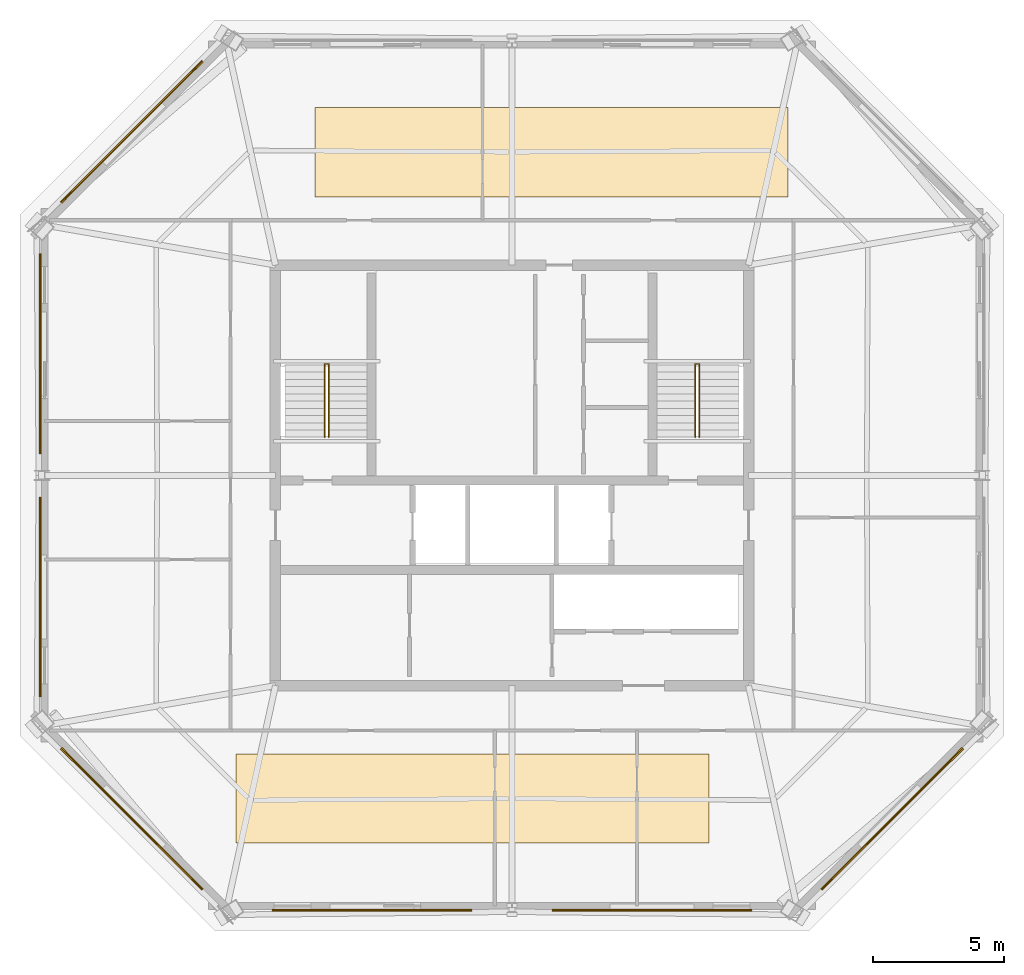
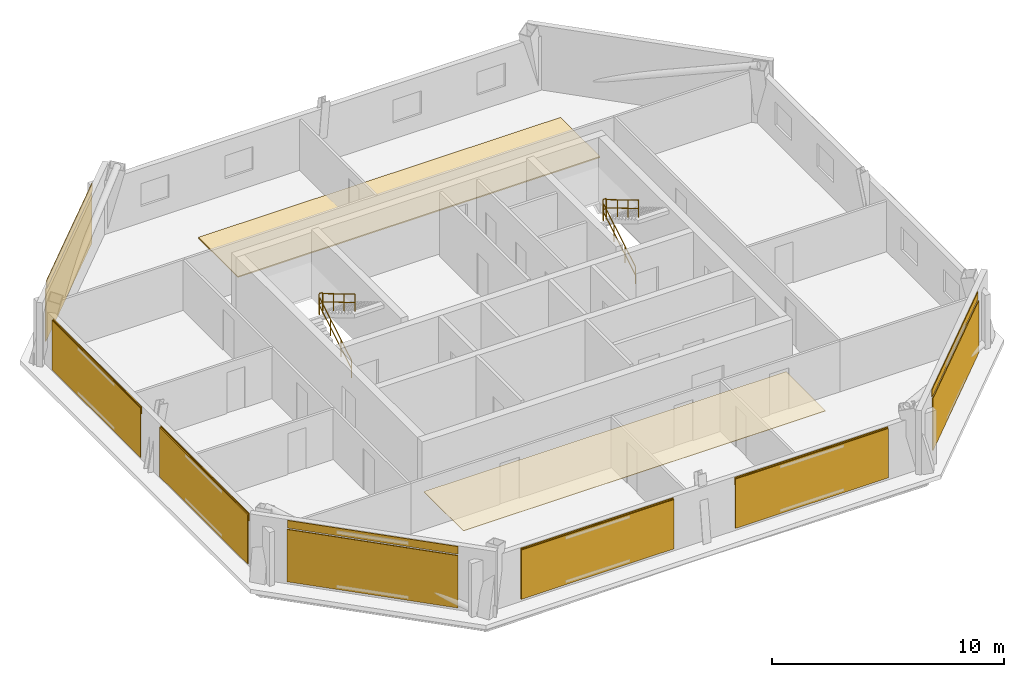
# One storey, part 5 of 6: 9 coverings, 7 shading devices, 6 railings.
"""IFC4 building model written with IfcOpenShell, lengths in metres."""

from ifc_helpers import new_model, si_unit, direction, frame, origin, origin_2d, place, context, subcontext, project, spatial, polyline, rectangle, circle, outline, extrude, material, layer, layer_set, type_object, element, save


model = new_model("IFC4")

# Units and contexts
model_context = context("Model", 3, precision=1e-05, world=origin(), true_north=direction((0.0, 1.0)))
body_context = subcontext(model_context, "Body", "Model", "MODEL_VIEW")
ifc_project = project(units=[si_unit("LENGTHUNIT", "METRE"), si_unit("AREAUNIT", "SQUARE_METRE"), si_unit("VOLUMEUNIT", "CUBIC_METRE"), si_unit("PLANEANGLEUNIT", "RADIAN"), si_unit("MASSUNIT", "GRAM", prefix="KILO")], contexts=[model_context])

# Site, building, storey
site_placement = place(None, origin())
site = spatial("IfcSite", under=ifc_project, at=site_placement, CompositionType="ELEMENT")
building_placement = place(site_placement, origin())
building = spatial("IfcBuilding", under=site, at=building_placement, Name="Caelvoria Tower", CompositionType="ELEMENT")
storey_placement = place(building_placement, frame((0.0, 0.0, 268.199951171875)))
storey = spatial("IfcBuildingStorey", under=building, at=storey_placement, Name="L71", CompositionType="ELEMENT", Elevation=268.199951171875)

# Coverings
ifc_material_1 = material(Name="Acoustic Mineral Fibre Tile", Category="gypsum")
ifc_layer_1 = layer(ifc_material_1, 0.02490234375, Name="Acoustic Mineral Fibre Tile")
ifc_layer_set_1 = layer_set([ifc_layer_1], Name="Mineral-Fibre Acoustic Suspended Ceiling 25 - Acoustic Mineral Fibre Tile")
covering_type_1 = type_object("IfcCoveringType", Name="Mineral-Fibre Acoustic Suspended Ceiling 25", PredefinedType="CEILING", material=ifc_layer_set_1)
covering_1_placement = place(storey_placement, frame((0.0, 0.0, 2.650146484375)))
element("IfcCovering", 1, at=covering_1_placement, inside=storey, type_object=covering_type_1, Name="Suspended Acoustic Ceiling L71", PredefinedType="CEILING", context=body_context, shape_type="SweptSolid", body=[
    extrude(outline(polyline([(35.5, 18.0), (53.5, 18.0), (53.5, 21.39990234375), (35.5, 21.39990234375), (35.5, 18.0)])), origin(), (0.0, 0.0, 1.0), 0.02490234375),
])
ifc_material_2 = material(Name="Perforated Architectural Bronze Cladding Screen", Category="bronze")
ifc_layer_2 = layer(ifc_material_2, 0.0400390625, Name="Perforated Architectural Bronze Cladding Screen")
ifc_layer_set_2 = layer_set([ifc_layer_2], Name="Perforated Bronze Louvre Cladding Band 40 - Perforated Architectural Bronze Cladding Screen")
covering_type_2 = type_object("IfcCoveringType", Name="Perforated Bronze Louvre Cladding Band 40", PredefinedType="CLADDING", material=ifc_layer_set_2)
for number, where, z_axis, x_axis, name in (
    (2, (40.677734375, 15.46826171875, 2.412109375), (0.0, 0.0, 1.0), (1.0, 0.0, 0.0), "Perforated Bronze Screen Band L71-E0-00"),
    (3, (51.322265625, 15.46826171875, 2.412109375), (0.0, 0.0, 1.0), (1.0, 0.0, 0.0), "Perforated Bronze Screen Band L71-E0-01"),
    (4, (60.451171875, 18.9443359375, 2.955078125), (0.0, 0.0, 1.0), (0.707106781187, 0.707106781187, 0.0), "Perforated Bronze Screen Band L71-E1-00"),
    (5, (31.548828125, 45.0556640625, 2.955078125), (0.0, 0.0, 1.0), (-0.707106781187, -0.707106781187, 0.0), "Perforated Bronze Screen Band L71-E5-00"),
    (6, (28.07275390625, 36.62451171875, 2.412109375), (0.0, 0.0, 1.0), (0.0, -1.0, 0.0), "Perforated Bronze Screen Band L71-E6-00"),
    (7, (28.07275390625, 27.37548828125, 2.412109375), (0.0, 0.0, 1.0), (0.0, -1.0, 0.0), "Perforated Bronze Screen Band L71-E6-01"),
    (8, (31.548828125, 18.9443359375, 2.955078125), (0.0, 0.0, 1.0), (0.707106781187, -0.707106781187, 0.0), "Perforated Bronze Screen Band L71-E7-00"),
):
    element("IfcCovering", number, at=place(storey_placement, frame(where, z_axis=z_axis, x_axis=x_axis)), inside=storey, type_object=covering_type_2, Name=name, PredefinedType="CLADDING", context=body_context, shape_type="SweptSolid", body=[
        extrude(rectangle(XDim=7.60009765625, YDim=0.0400390625, at=origin_2d()), origin(), (0.0, 0.0, 1.0), 0.39990234375),
    ])

# Shading devices
ifc_material_3 = material(Name="Perforated Architectural Bronze Alloy Panel", Category="bronze")
ifc_layer_3 = layer(ifc_material_3, 0.044921875, Name="Perforated Architectural Bronze Alloy Panel")
ifc_layer_set_3 = layer_set([ifc_layer_3], Name="Perforated Bronze Solar Screen Panel SCREEN - Perforated Architectural Bronze Alloy Panel")
shading_device_type = type_object("IfcShadingDeviceType", Name="Perforated Bronze Solar Screen Panel SCREEN", PredefinedType="USERDEFINED", material=ifc_layer_set_3)
for number, where, z_axis, x_axis, name in (
    (9, (40.677734375, 15.42529296875, 0.16015625), (0.0, 0.0, 1.0), (1.0, 0.0, 0.0), "Perforated Bronze Solar Screen L71-E0-00"),
    (10, (51.322265625, 15.42529296875, 0.16015625), (0.0, 0.0, 1.0), (1.0, 0.0, 0.0), "Perforated Bronze Solar Screen L71-E0-01"),
):
    element("IfcShadingDevice", number, at=place(storey_placement, frame(where, z_axis=z_axis, x_axis=x_axis)), inside=storey, type_object=shading_device_type, Name=name, ObjectType="SCREEN", PredefinedType="USERDEFINED", context=body_context, shape_type="SweptSolid", body=[
        extrude(rectangle(XDim=7.60009765625, YDim=0.044921875, at=origin_2d()), origin(), (0.0, 0.0, 1.0), 2.592041015625),
    ])
for number, where, z_axis, x_axis, name in (
    (11, (60.4814453125, 18.913818359375, 0.16015625), (0.0, 0.0, 1.0), (0.707106781187, 0.707106781187, 0.0), "Perforated Bronze Solar Screen L71-E1-00"),
    (12, (31.5185546875, 45.086181640625, 0.16015625), (0.0, 0.0, 1.0), (-0.707106781187, -0.707106781187, 0.0), "Perforated Bronze Solar Screen L71-E5-00"),
):
    element("IfcShadingDevice", number, at=place(storey_placement, frame(where, z_axis=z_axis, x_axis=x_axis)), inside=storey, type_object=shading_device_type, Name=name, ObjectType="SCREEN", PredefinedType="USERDEFINED", context=body_context, shape_type="SweptSolid", body=[
        extrude(rectangle(XDim=7.60009765625, YDim=0.044921875, at=origin_2d()), origin(), (0.0, 0.0, 1.0), 2.75),
    ])
for number, where, z_axis, x_axis, name in (
    (13, (28.02978515625, 36.62451171875, 0.16015625), (0.0, 0.0, 1.0), (0.0, -1.0, 0.0), "Perforated Bronze Solar Screen L71-E6-00"),
    (14, (28.02978515625, 27.37548828125, 0.16015625), (0.0, 0.0, 1.0), (0.0, -1.0, 0.0), "Perforated Bronze Solar Screen L71-E6-01"),
):
    element("IfcShadingDevice", number, at=place(storey_placement, frame(where, z_axis=z_axis, x_axis=x_axis)), inside=storey, type_object=shading_device_type, Name=name, ObjectType="SCREEN", PredefinedType="USERDEFINED", context=body_context, shape_type="SweptSolid", body=[
        extrude(rectangle(XDim=7.60009765625, YDim=0.044921875, at=origin_2d()), origin(), (0.0, 0.0, 1.0), 2.592041015625),
    ])
shading_device_placement = place(storey_placement, frame((31.5185546875, 18.913818359375, 0.16015625), z_axis=(0.0, 0.0, 1.0), x_axis=(0.707106781187, -0.707106781187, 0.0)))
element("IfcShadingDevice", 15, at=shading_device_placement, inside=storey, type_object=shading_device_type, Name="Perforated Bronze Solar Screen L71-E7-00", ObjectType="SCREEN", PredefinedType="USERDEFINED", context=body_context, shape_type="SweptSolid", body=[
    extrude(rectangle(XDim=7.60009765625, YDim=0.044921875, at=origin_2d()), origin(), (0.0, 0.0, 1.0), 2.75),
])

# Covering
ifc_material_4 = material(Name="Calcium-Sulphate Raised Floor Tile", Category="gypsum")
ifc_layer_4 = layer(ifc_material_4, 0.06005859375, Name="Calcium-Sulphate Raised Floor Tile")
ifc_layer_set_4 = layer_set([ifc_layer_4], Name="Raised Access Office Floor System 120 - Calcium-Sulphate Raised Floor Tile")
covering_type_3 = type_object("IfcCoveringType", Name="Raised Access Office Floor System 120", PredefinedType="FLOORING", material=ifc_layer_set_4)
covering_2_placement = place(storey_placement, origin())
element("IfcCovering", 16, at=covering_2_placement, inside=storey, type_object=covering_type_3, Name="Raised Access Flooring L71", PredefinedType="FLOORING", context=body_context, shape_type="SweptSolid", body=[
    extrude(outline(polyline([(38.5, 42.60009765625), (56.5, 42.60009765625), (56.5, 46.0), (38.5, 46.0), (38.5, 42.60009765625)])), origin(), (0.0, 0.0, 1.0), 0.06005859375),
])

# Railings
ifc_material_5 = material(Name="Brushed Stainless Steel Tube", Category="steel")
railing_type_1 = type_object("IfcRailingType", Name="Stair Tubular Stainless Handrail 920", PredefinedType="HANDRAIL", material=ifc_material_5)
railing_1_placement = place(storey_placement, frame((38.8701171875, 33.449951171875, 0.16357421875)))
element("IfcRailing", 17, at=railing_1_placement, inside=storey, type_object=railing_type_1, Name="ST-01 Flight 1 Handrail L71", PredefinedType="HANDRAIL", context=body_context, shape_type="SweptSolid", body=[
    extrude(circle(Radius=0.02392578125, at=origin_2d()), frame((0.0, 0.0, 0.89599609375), z_axis=(0.0, 0.859351957796, 0.511384603436), x_axis=(-1.0, 0.0, 0.0)), (0.0, 0.0, 1.0), 3.2001953125),
    extrude(circle(Radius=0.02392578125, at=origin_2d()), frame((0.0, 0.0, 0.4599609375), z_axis=(0.0, 0.859351957796, 0.511384603436), x_axis=(-1.0, 0.0, 0.0)), (0.0, 0.0, 1.0), 3.2001953125),
    extrude(circle(Radius=0.02099609375, at=origin_2d()), origin(), (0.0, 0.0, 1.0), 0.871826171875),
    extrude(circle(Radius=0.02099609375, at=origin_2d()), frame((0.0, 0.916748046875, 0.54541015625)), (0.0, 0.0, 1.0), 0.871826171875),
    extrude(circle(Radius=0.02099609375, at=origin_2d()), frame((0.0, 1.833251953125, 1.091064453125)), (0.0, 0.0, 1.0), 0.871826171875),
    extrude(circle(Radius=0.02099609375, at=origin_2d()), frame((0.0, 2.75, 1.636474609375)), (0.0, 0.0, 1.0), 0.871826171875),
])
railing_2_placement = place(storey_placement, frame((39.030029296875, 36.199951171875, 1.963623046875)))
element("IfcRailing", 18, at=railing_2_placement, inside=storey, type_object=railing_type_1, Name="ST-01 Flight 2 Handrail L71", PredefinedType="HANDRAIL", context=body_context, shape_type="SweptSolid", body=[
    extrude(circle(Radius=0.02392578125, at=origin_2d()), frame((0.0, 0.0, 0.89599609375), z_axis=(0.0, -0.859351957796, 0.511384603436), x_axis=(1.0, 0.0, 0.0)), (0.0, 0.0, 1.0), 3.2001953125),
    extrude(circle(Radius=0.02392578125, at=origin_2d()), frame((0.0, 0.0, 0.4599609375), z_axis=(0.0, -0.859351957796, 0.511384603436), x_axis=(1.0, 0.0, 0.0)), (0.0, 0.0, 1.0), 3.2001953125),
    extrude(circle(Radius=0.02099609375, at=origin_2d()), origin(), (0.0, 0.0, 1.0), 0.871826171875),
    extrude(circle(Radius=0.02099609375, at=origin_2d()), frame((0.0, -0.916748046875, 0.54541015625)), (0.0, 0.0, 1.0), 0.871826171875),
    extrude(circle(Radius=0.02099609375, at=origin_2d()), frame((0.0, -1.833251953125, 1.091064453125)), (0.0, 0.0, 1.0), 0.871826171875),
    extrude(circle(Radius=0.02099609375, at=origin_2d()), frame((0.0, -2.75, 1.636474609375)), (0.0, 0.0, 1.0), 0.871826171875),
])
railing_3_placement = place(storey_placement, frame((52.969970703125, 33.449951171875, 0.16357421875)))
element("IfcRailing", 19, at=railing_3_placement, inside=storey, type_object=railing_type_1, Name="ST-02 Flight 1 Handrail L71", PredefinedType="HANDRAIL", context=body_context, shape_type="SweptSolid", body=[
    extrude(circle(Radius=0.02392578125, at=origin_2d()), frame((0.0, 0.0, 0.89599609375), z_axis=(0.0, 0.859351957796, 0.511384603436), x_axis=(-1.0, 0.0, 0.0)), (0.0, 0.0, 1.0), 3.2001953125),
    extrude(circle(Radius=0.02392578125, at=origin_2d()), frame((0.0, 0.0, 0.4599609375), z_axis=(0.0, 0.859351957796, 0.511384603436), x_axis=(-1.0, 0.0, 0.0)), (0.0, 0.0, 1.0), 3.2001953125),
    extrude(circle(Radius=0.02099609375, at=origin_2d()), origin(), (0.0, 0.0, 1.0), 0.871826171875),
    extrude(circle(Radius=0.02099609375, at=origin_2d()), frame((0.0, 0.916748046875, 0.54541015625)), (0.0, 0.0, 1.0), 0.871826171875),
    extrude(circle(Radius=0.02099609375, at=origin_2d()), frame((0.0, 1.833251953125, 1.091064453125)), (0.0, 0.0, 1.0), 0.871826171875),
    extrude(circle(Radius=0.02099609375, at=origin_2d()), frame((0.0, 2.75, 1.636474609375)), (0.0, 0.0, 1.0), 0.871826171875),
])
railing_4_placement = place(storey_placement, frame((53.1298828125, 36.199951171875, 1.963623046875)))
element("IfcRailing", 20, at=railing_4_placement, inside=storey, type_object=railing_type_1, Name="ST-02 Flight 2 Handrail L71", PredefinedType="HANDRAIL", context=body_context, shape_type="SweptSolid", body=[
    extrude(circle(Radius=0.02392578125, at=origin_2d()), frame((0.0, 0.0, 0.89599609375), z_axis=(0.0, -0.859351957796, 0.511384603436), x_axis=(1.0, 0.0, 0.0)), (0.0, 0.0, 1.0), 3.2001953125),
    extrude(circle(Radius=0.02392578125, at=origin_2d()), frame((0.0, 0.0, 0.4599609375), z_axis=(0.0, -0.859351957796, 0.511384603436), x_axis=(1.0, 0.0, 0.0)), (0.0, 0.0, 1.0), 3.2001953125),
    extrude(circle(Radius=0.02099609375, at=origin_2d()), origin(), (0.0, 0.0, 1.0), 0.871826171875),
    extrude(circle(Radius=0.02099609375, at=origin_2d()), frame((0.0, -0.916748046875, 0.54541015625)), (0.0, 0.0, 1.0), 0.871826171875),
    extrude(circle(Radius=0.02099609375, at=origin_2d()), frame((0.0, -1.833251953125, 1.091064453125)), (0.0, 0.0, 1.0), 0.871826171875),
    extrude(circle(Radius=0.02099609375, at=origin_2d()), frame((0.0, -2.75, 1.636474609375)), (0.0, 0.0, 1.0), 0.871826171875),
])
ifc_material_6 = material(Name="Brushed Stainless Steel Guardrail", Category="steel")
railing_type_2 = type_object("IfcRailingType", Name="Stair Well and Ramp Guardrail 1120", PredefinedType="GUARDRAIL", material=ifc_material_6)
for number, where, name in (
    (21, (38.8701171875, 36.239990234375, 1.800048828125), "ST-01 Half-Landing Well Guard L71"),
    (22, (52.969970703125, 36.239990234375, 1.800048828125), "ST-02 Half-Landing Well Guard L71"),
):
    element("IfcRailing", number, at=place(storey_placement, frame(where)), inside=storey, type_object=railing_type_2, Name=name, PredefinedType="GUARDRAIL", context=body_context, shape_type="SweptSolid", body=[
        extrude(circle(Radius=0.02392578125, at=origin_2d()), frame((0.0, 0.0, 1.09619140625), z_axis=(1.0, 0.0, 0.0), x_axis=(0.0, 1.0, 0.0)), (0.0, 0.0, 1.0), 0.159912109375),
        extrude(circle(Radius=0.02392578125, at=origin_2d()), frame((0.0, 0.0, 0.56005859375), z_axis=(1.0, 0.0, 0.0), x_axis=(0.0, 1.0, 0.0)), (0.0, 0.0, 1.0), 0.159912109375),
        extrude(circle(Radius=0.02099609375, at=origin_2d()), origin(), (0.0, 0.0, 1.0), 1.072021484375),
        extrude(circle(Radius=0.02099609375, at=origin_2d()), frame((0.159912109375, 0.0, 0.0)), (0.0, 0.0, 1.0), 1.072021484375),
    ])

save(model, "model.ifc")
